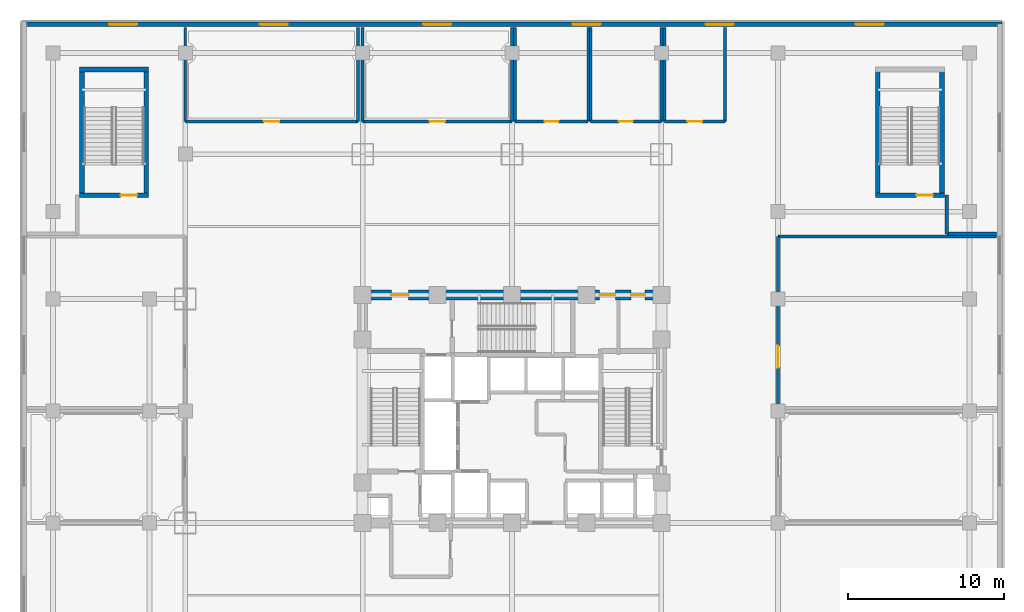
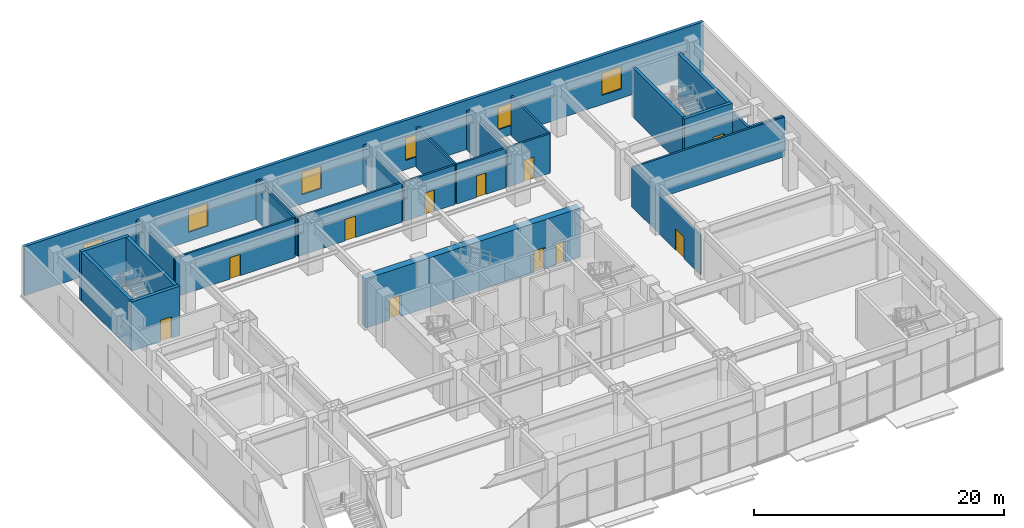
# One storey, part 14 of 24: 28 walls, 11 doors, 6 windows, 17 openings.
"""IFC4 building model written with IfcOpenShell, lengths in metres."""

from ifc_helpers import new_model, si_unit, direction, frame, frame_2d, origin, place, context, subcontext, project, spatial, rectangle, extrude, material, layer, layer_set, type_object, element, fill, save


model = new_model("IFC4")

# Units and contexts
model_context = context("Model", 3, precision=1e-05, world=origin(), true_north=direction((0.0, 1.0)))
body_context = subcontext(model_context, "Body", "Model", "MODEL_VIEW")
ifc_project = project(units=[si_unit("LENGTHUNIT", "METRE"), si_unit("AREAUNIT", "SQUARE_METRE"), si_unit("VOLUMEUNIT", "CUBIC_METRE"), si_unit("PLANEANGLEUNIT", "RADIAN"), si_unit("MASSUNIT", "GRAM", prefix="KILO")], contexts=[model_context])

# Site, building, storey
site_placement = place(None, origin())
site = spatial("IfcSite", under=ifc_project, at=site_placement, CompositionType="ELEMENT")
building_placement = place(site_placement, origin())
building = spatial("IfcBuilding", under=site, at=building_placement, Name="Vantalir Tower", CompositionType="ELEMENT")
storey_placement = place(building_placement, frame((0.0, 0.0, 6.0)))
storey = spatial("IfcBuildingStorey", under=building, at=storey_placement, Name="L01", CompositionType="ELEMENT", Elevation=6.0)

# Wall, openings, doors
ifc_material_1 = material(Name="Concrete C60/75", Category="concrete")
ifc_layer_1 = layer(ifc_material_1, 0.64990234375)
ifc_layer_set_1 = layer_set([ifc_layer_1], Name="Concrete C60/75")
wall_type_1 = type_object("IfcWallType", Name="WL-CORE-650", PredefinedType="SHEAR", material=ifc_layer_set_1)
wall_1_placement = place(storey_placement, frame((21.574951171875, 32.449951171875, 0.0), z_axis=(0.0, 0.0, 1.0), x_axis=(1.0, 0.0, 0.0)))
wall_1 = element("IfcWall", 1, at=wall_1_placement, inside=storey, type_object=wall_type_1, Name="Floor 1 Core Shear Wall North", PredefinedType="SHEAR", context=body_context, shape_type="SweptSolid", body=[
    extrude(rectangle(XDim=19.85009765625, YDim=0.64990234375, at=frame_2d((9.925048828125, 0.0))), origin(), (0.0, 0.0, 1.0), 4.820068359375),
])
opening_1_placement = place(wall_1_placement, frame((2.175048828125, 0.0, 0.0)))
opening_1 = element("IfcOpeningElement", 2, at=opening_1_placement, cuts=wall_1, Name="Opening D-FFL", PredefinedType="OPENING", context=body_context, shape_type="SweptSolid", body=[
    extrude(rectangle(XDim=1.10009765625, YDim=2.10009765625, at=frame_2d((0.550048828125, 1.050048828125))), frame((0.0, 0.3349609375, 0.0), z_axis=(0.0, -1.0, 0.0), x_axis=(1.0, 0.0, 0.0)), (0.0, 0.0, 1.0), 0.669921875),
])
opening_2_placement = place(wall_1_placement, frame((15.56494140625, 0.0, 0.0)))
opening_2 = element("IfcOpeningElement", 3, at=opening_2_placement, cuts=wall_1, Name="Opening D-GUEST", PredefinedType="OPENING", context=body_context, shape_type="SweptSolid", body=[
    extrude(rectangle(XDim=1.0, YDim=2.10009765625, at=frame_2d((0.5, 1.050048828125))), frame((0.0, 0.3349609375, 0.0), z_axis=(0.0, -1.0, 0.0), x_axis=(1.0, 0.0, 0.0)), (0.0, 0.0, 1.0), 0.669921875),
])
opening_3_placement = place(wall_1_placement, frame((17.574951171875, 0.0, 0.0)))
opening_3 = element("IfcOpeningElement", 4, at=opening_3_placement, cuts=wall_1, Name="Opening D-CR", PredefinedType="OPENING", context=body_context, shape_type="SweptSolid", body=[
    extrude(rectangle(XDim=0.89990234375, YDim=2.10009765625, at=frame_2d((0.449951171875, 1.050048828125))), frame((0.0, 0.3349609375, 0.0), z_axis=(0.0, -1.0, 0.0), x_axis=(1.0, 0.0, 0.0)), (0.0, 0.0, 1.0), 0.669921875),
])
ifc_material_2 = material(Name="Fire-rated steel core service door", Category="steel")
door_type_1 = type_object("IfcDoorType", Name="DR-CORE-SERV-900", OperationType="NOTDEFINED", PredefinedType="DOOR", material=ifc_material_2)
door_1_placement = place(opening_3_placement, frame((0.89990234375, 0.0, 0.0), z_axis=(0.0, 0.0, 1.0), x_axis=(-1.0, 0.0, 0.0)))
door_1 = element("IfcDoor", 5, at=door_1_placement, inside=storey, type_object=door_type_1, Name="Floor 1 Housekeeping and Linen Room Door", OperationType="SINGLE_SWING_RIGHT", OverallHeight=2.10009765625, OverallWidth=0.89990234375, PredefinedType="DOOR", context=body_context, shape_type="SweptSolid", body=[
    extrude(rectangle(XDim=0.89990234375, YDim=2.10009765625, at=frame_2d((0.449951171875, 1.050048828125))), frame((0.0, 0.02490234375, 0.0), z_axis=(0.0, -1.0, 0.0), x_axis=(1.0, 0.0, 0.0)), (0.0, 0.0, 1.0), 0.050048828125),
])
fill(opening_3, door_1)
ifc_material_3 = material(Name="Fire-rated acoustic steel door", Category="steel")
door_type_2 = type_object("IfcDoorType", Name="DR-FIRE-LOBBY-1100", OperationType="NOTDEFINED", PredefinedType="DOOR", material=ifc_material_3)
door_2_placement = place(opening_1_placement, frame((1.10009765625, 0.0, 0.0), z_axis=(0.0, 0.0, 1.0), x_axis=(-1.0, 0.0, 0.0)))
door_2 = element("IfcDoor", 6, at=door_2_placement, inside=storey, type_object=door_type_2, Name="Floor 1 Firefighting Lobby East Access Door", OperationType="SINGLE_SWING_LEFT", OverallHeight=2.10009765625, OverallWidth=1.10009765625, PredefinedType="DOOR", context=body_context, shape_type="SweptSolid", body=[
    extrude(rectangle(XDim=1.10009765625, YDim=2.10009765625, at=frame_2d((0.550048828125, 1.050048828125))), frame((0.0, 0.02490234375, 0.0), z_axis=(0.0, -1.0, 0.0), x_axis=(1.0, 0.0, 0.0)), (0.0, 0.0, 1.0), 0.050048828125),
])
fill(opening_1, door_2)
ifc_material_4 = material(Name="Solid-core teak veneer acoustic fire door", Category="wood")
door_type_3 = type_object("IfcDoorType", Name="DR-GUEST-ENTRY-1000", OperationType="NOTDEFINED", PredefinedType="DOOR", material=ifc_material_4)
door_3_placement = place(opening_2_placement, frame((1.0, 0.0, 0.0), z_axis=(0.0, 0.0, 1.0), x_axis=(-1.0, 0.0, 0.0)))
door_3 = element("IfcDoor", 7, at=door_3_placement, inside=storey, type_object=door_type_3, Name="Floor 1 High-Rise Lift Lobby Door", OperationType="SINGLE_SWING_LEFT", OverallHeight=2.10009765625, OverallWidth=1.0, PredefinedType="DOOR", context=body_context, shape_type="SweptSolid", body=[
    extrude(rectangle(XDim=1.0, YDim=2.10009765625, at=frame_2d((0.5, 1.050048828125))), frame((0.0, 0.02490234375, 0.0), z_axis=(0.0, -1.0, 0.0), x_axis=(1.0, 0.0, 0.0)), (0.0, 0.0, 1.0), 0.050048828125),
])
fill(opening_2, door_3)

# Wall, openings, windows
ifc_material_5 = material(Name="Precast concrete C40/50 with insulated PVDF rainscreen", Category="concrete")
ifc_layer_2 = layer(ifc_material_5, 0.280029296875)
ifc_layer_set_2 = layer_set([ifc_layer_2], Name="Precast concrete C40/50 with insulated PVDF rainscreen")
wall_type_2 = type_object("IfcWallType", Name="WL-EXT-POD-280", PredefinedType="SOLIDWALL", material=ifc_layer_set_2)
wall_2_placement = place(storey_placement, frame((63.0, 49.860107421875, 0.0), z_axis=(0.0, 0.0, 1.0), x_axis=(-1.0, 0.0, 0.0)))
wall_2 = element("IfcWall", 8, at=wall_2_placement, inside=storey, type_object=wall_type_2, Name="Level 01 Podium North Street Facade Wall", PredefinedType="SOLIDWALL", context=body_context, shape_type="SweptSolid", body=[
    extrude(rectangle(XDim=62.860107421875, YDim=0.280029296875, at=frame_2d((31.43017578125, 0.0))), origin(), (0.0, 0.0, 1.0), 4.820068359375),
])
opening_4_placement = place(wall_2_placement, frame((55.60009765625, 0.0, 0.89990234375)))
opening_4 = element("IfcOpeningElement", 9, at=opening_4_placement, cuts=wall_2, Name="Opening WN-2", PredefinedType="OPENING", context=body_context, shape_type="SweptSolid", body=[
    extrude(rectangle(XDim=1.800048828125, YDim=2.199951171875, at=frame_2d((0.89990234375, 1.10009765625))), frame((0.0, 0.14990234375, 0.0), z_axis=(0.0, -1.0, 0.0), x_axis=(1.0, 0.0, 0.0)), (0.0, 0.0, 1.0), 0.300048828125),
])
opening_5_placement = place(wall_2_placement, frame((45.89990234375, 0.0, 0.89990234375)))
opening_5 = element("IfcOpeningElement", 10, at=opening_5_placement, cuts=wall_2, Name="Opening WN-2", PredefinedType="OPENING", context=body_context, shape_type="SweptSolid", body=[
    extrude(rectangle(XDim=1.800048828125, YDim=2.199951171875, at=frame_2d((0.89990234375, 1.10009765625))), frame((0.0, 0.14990234375, 0.0), z_axis=(0.0, -1.0, 0.0), x_axis=(1.0, 0.0, 0.0)), (0.0, 0.0, 1.0), 0.300048828125),
])
opening_6_placement = place(wall_2_placement, frame((35.39990234375, 0.0, 0.89990234375)))
opening_6 = element("IfcOpeningElement", 11, at=opening_6_placement, cuts=wall_2, Name="Opening WN-2", PredefinedType="OPENING", context=body_context, shape_type="SweptSolid", body=[
    extrude(rectangle(XDim=1.800048828125, YDim=2.199951171875, at=frame_2d((0.89990234375, 1.10009765625))), frame((0.0, 0.14990234375, 0.0), z_axis=(0.0, -1.0, 0.0), x_axis=(1.0, 0.0, 0.0)), (0.0, 0.0, 1.0), 0.300048828125),
])
opening_7_placement = place(wall_2_placement, frame((25.800048828125, 0.0, 0.89990234375)))
opening_7 = element("IfcOpeningElement", 12, at=opening_7_placement, cuts=wall_2, Name="Opening WN-2", PredefinedType="OPENING", context=body_context, shape_type="SweptSolid", body=[
    extrude(rectangle(XDim=1.800048828125, YDim=2.199951171875, at=frame_2d((0.89990234375, 1.10009765625))), frame((0.0, 0.14990234375, 0.0), z_axis=(0.0, -1.0, 0.0), x_axis=(1.0, 0.0, 0.0)), (0.0, 0.0, 1.0), 0.300048828125),
])
opening_8_placement = place(wall_2_placement, frame((17.25, 0.0, 0.89990234375)))
opening_8 = element("IfcOpeningElement", 13, at=opening_8_placement, cuts=wall_2, Name="Opening WN-2", PredefinedType="OPENING", context=body_context, shape_type="SweptSolid", body=[
    extrude(rectangle(XDim=1.800048828125, YDim=2.199951171875, at=frame_2d((0.89990234375, 1.10009765625))), frame((0.0, 0.14990234375, 0.0), z_axis=(0.0, -1.0, 0.0), x_axis=(1.0, 0.0, 0.0)), (0.0, 0.0, 1.0), 0.300048828125),
])
opening_9_placement = place(wall_2_placement, frame((7.60009765625, 0.0, 0.89990234375)))
opening_9 = element("IfcOpeningElement", 14, at=opening_9_placement, cuts=wall_2, Name="Opening WN-2", PredefinedType="OPENING", context=body_context, shape_type="SweptSolid", body=[
    extrude(rectangle(XDim=1.800048828125, YDim=2.199951171875, at=frame_2d((0.89990234375, 1.10009765625))), frame((0.0, 0.14990234375, 0.0), z_axis=(0.0, -1.0, 0.0), x_axis=(1.0, 0.0, 0.0)), (0.0, 0.0, 1.0), 0.300048828125),
])
ifc_material_6 = material(Name="Double-silver Low-E thermally broken window", Category="glass")
window_type = type_object("IfcWindowType", Name="WIN-POD-1800x2200", PartitioningType="SINGLE_PANEL", PredefinedType="WINDOW", material=ifc_material_6)
window_1_placement = place(opening_4_placement, origin())
window_1 = element("IfcWindow", 15, at=window_1_placement, inside=storey, type_object=window_type, Name="Level 01 North Podium Window N01", OverallHeight=2.199951171875, OverallWidth=1.800048828125, PartitioningType="SINGLE_PANEL", PredefinedType="WINDOW", context=body_context, shape_type="SweptSolid", body=[
    extrude(rectangle(XDim=1.800048828125, YDim=2.199951171875, at=frame_2d((0.89990234375, 1.10009765625))), frame((0.0, 0.030029296875, 0.0), z_axis=(0.0, -1.0, 0.0), x_axis=(1.0, 0.0, 0.0)), (0.0, 0.0, 1.0), 0.06005859375),
])
fill(opening_4, window_1)
window_2_placement = place(opening_5_placement, origin())
window_2 = element("IfcWindow", 16, at=window_2_placement, inside=storey, type_object=window_type, Name="Level 01 North Podium Window N02", OverallHeight=2.199951171875, OverallWidth=1.800048828125, PartitioningType="SINGLE_PANEL", PredefinedType="WINDOW", context=body_context, shape_type="SweptSolid", body=[
    extrude(rectangle(XDim=1.800048828125, YDim=2.199951171875, at=frame_2d((0.89990234375, 1.10009765625))), frame((0.0, 0.030029296875, 0.0), z_axis=(0.0, -1.0, 0.0), x_axis=(1.0, 0.0, 0.0)), (0.0, 0.0, 1.0), 0.06005859375),
])
fill(opening_5, window_2)
window_3_placement = place(opening_6_placement, origin())
window_3 = element("IfcWindow", 17, at=window_3_placement, inside=storey, type_object=window_type, Name="Level 01 North Podium Window N03", OverallHeight=2.199951171875, OverallWidth=1.800048828125, PartitioningType="SINGLE_PANEL", PredefinedType="WINDOW", context=body_context, shape_type="SweptSolid", body=[
    extrude(rectangle(XDim=1.800048828125, YDim=2.199951171875, at=frame_2d((0.89990234375, 1.10009765625))), frame((0.0, 0.030029296875, 0.0), z_axis=(0.0, -1.0, 0.0), x_axis=(1.0, 0.0, 0.0)), (0.0, 0.0, 1.0), 0.06005859375),
])
fill(opening_6, window_3)
window_4_placement = place(opening_7_placement, origin())
window_4 = element("IfcWindow", 18, at=window_4_placement, inside=storey, type_object=window_type, Name="Level 01 North Podium Window N04", OverallHeight=2.199951171875, OverallWidth=1.800048828125, PartitioningType="SINGLE_PANEL", PredefinedType="WINDOW", context=body_context, shape_type="SweptSolid", body=[
    extrude(rectangle(XDim=1.800048828125, YDim=2.199951171875, at=frame_2d((0.89990234375, 1.10009765625))), frame((0.0, 0.030029296875, 0.0), z_axis=(0.0, -1.0, 0.0), x_axis=(1.0, 0.0, 0.0)), (0.0, 0.0, 1.0), 0.06005859375),
])
fill(opening_7, window_4)
window_5_placement = place(opening_8_placement, origin())
window_5 = element("IfcWindow", 19, at=window_5_placement, inside=storey, type_object=window_type, Name="Level 01 North Podium Window N05", OverallHeight=2.199951171875, OverallWidth=1.800048828125, PartitioningType="SINGLE_PANEL", PredefinedType="WINDOW", context=body_context, shape_type="SweptSolid", body=[
    extrude(rectangle(XDim=1.800048828125, YDim=2.199951171875, at=frame_2d((0.89990234375, 1.10009765625))), frame((0.0, 0.030029296875, 0.0), z_axis=(0.0, -1.0, 0.0), x_axis=(1.0, 0.0, 0.0)), (0.0, 0.0, 1.0), 0.06005859375),
])
fill(opening_8, window_5)
window_6_placement = place(opening_9_placement, origin())
window_6 = element("IfcWindow", 20, at=window_6_placement, inside=storey, type_object=window_type, Name="Level 01 North Podium Window N06", OverallHeight=2.199951171875, OverallWidth=1.800048828125, PartitioningType="SINGLE_PANEL", PredefinedType="WINDOW", context=body_context, shape_type="SweptSolid", body=[
    extrude(rectangle(XDim=1.800048828125, YDim=2.199951171875, at=frame_2d((0.89990234375, 1.10009765625))), frame((0.0, 0.030029296875, 0.0), z_axis=(0.0, -1.0, 0.0), x_axis=(1.0, 0.0, 0.0)), (0.0, 0.0, 1.0), 0.06005859375),
])
fill(opening_9, window_6)

# Walls
ifc_material_7 = material(Name="Concrete blockwork with fireboard lining", Category="masonry")
ifc_layer_3 = layer(ifc_material_7, 0.219970703125)
ifc_layer_set_3 = layer_set([ifc_layer_3], Name="Concrete blockwork with fireboard lining")
wall_type_3 = type_object("IfcWallType", Name="WL-FFL-220", PredefinedType="PARTITIONING", material=ifc_layer_set_3)
wall_3_placement = place(storey_placement, frame((59.449951171875, 36.3798828125, 0.0), z_axis=(0.0, 0.0, 1.0), x_axis=(1.0, 0.0, 0.0)))
element("IfcWall", 21, at=wall_3_placement, inside=storey, type_object=wall_type_3, Name="Floor 1 North-East Service Riser South Wall", PredefinedType="PARTITIONING", context=body_context, shape_type="SweptSolid", body=[
    extrude(rectangle(XDim=3.199951171875, YDim=0.219970703125, at=frame_2d((1.60009765625, 0.0))), origin(), (0.0, 0.0, 1.0), 3.867919921875),
])
wall_4_placement = place(storey_placement, frame((59.449951171875, 36.3798828125, 0.0), z_axis=(0.0, 0.0, 1.0), x_axis=(0.0, 1.0, 0.0)))
element("IfcWall", 22, at=wall_4_placement, inside=storey, type_object=wall_type_3, Name="Floor 1 North-East Service Riser West Wall", PredefinedType="PARTITIONING", context=body_context, shape_type="SweptSolid", body=[
    extrude(rectangle(XDim=2.480224609375, YDim=0.219970703125, at=frame_2d((1.240234375, 0.0))), origin(), (0.0, 0.0, 1.0), 3.867919921875),
])
ifc_material_8 = material(Name="Twin-stud acoustic fire-rated gypsum partition", Category="gypsum")
ifc_layer_4 = layer(ifc_material_8, 0.179931640625)
ifc_layer_set_4 = layer_set([ifc_layer_4], Name="Twin-stud acoustic fire-rated gypsum partition")
wall_type_4 = type_object("IfcWallType", Name="WL-GUEST-180", PredefinedType="PARTITIONING", material=ifc_layer_set_4)
wall_5_placement = place(storey_placement, frame((48.60009765625, 36.199951171875, 0.0), z_axis=(0.0, 0.0, 1.0), x_axis=(1.0, 0.0, 0.0)))
element("IfcWall", 23, at=wall_5_placement, inside=storey, type_object=wall_type_4, Name="Floor 1 Culinary Dry Goods and Tableware Store North Wall", PredefinedType="PARTITIONING", context=body_context, shape_type="SweptSolid", body=[
    extrude(rectangle(XDim=14.0498046875, YDim=0.179931640625, at=frame_2d((7.02490234375, 0.0))), origin(), (0.0, 0.0, 1.0), 3.867919921875),
])

# Wall, opening, door
wall_6_placement = place(storey_placement, frame((48.60009765625, 25.179931640625, 0.0), z_axis=(0.0, 0.0, 1.0), x_axis=(0.0, 1.0, 0.0)))
wall_6 = element("IfcWall", 24, at=wall_6_placement, inside=storey, type_object=wall_type_4, Name="Floor 1 Culinary Dry Goods and Tableware Store West Wall", PredefinedType="PARTITIONING", context=body_context, shape_type="SweptSolid", body=[
    extrude(rectangle(XDim=11.02001953125, YDim=0.179931640625, at=frame_2d((5.510009765625, 0.0))), origin(), (0.0, 0.0, 1.0), 3.867919921875),
])
opening_10_placement = place(wall_6_placement, frame((2.60595703125, 0.0, 0.0)))
opening_10 = element("IfcOpeningElement", 25, at=opening_10_placement, cuts=wall_6, Name="Opening D-PLANT", PredefinedType="OPENING", context=body_context, shape_type="SweptSolid", body=[
    extrude(rectangle(XDim=1.39990234375, YDim=2.10009765625, at=frame_2d((0.699951171875, 1.050048828125))), frame((0.0, 0.099853515625, 0.0), z_axis=(0.0, -1.0, 0.0), x_axis=(1.0, 0.0, 0.0)), (0.0, 0.0, 1.0), 0.199951171875),
])
ifc_material_9 = material(Name="Louvred fire-rated steel plant double door", Category="steel")
door_type_4 = type_object("IfcDoorType", Name="DR-PLANT-1400", OperationType="DOUBLE_DOOR_SINGLE_SWING", PredefinedType="DOOR", material=ifc_material_9)
door_4_placement = place(opening_10_placement, frame((1.39990234375, 0.0, 0.0), z_axis=(0.0, 0.0, 1.0), x_axis=(-1.0, 0.0, 0.0)))
door_4 = element("IfcDoor", 26, at=door_4_placement, inside=storey, type_object=door_type_4, Name="Floor 1 Culinary Dry Goods and Tableware Store Door", OperationType="DOUBLE_DOOR_SINGLE_SWING", OverallHeight=2.10009765625, OverallWidth=1.39990234375, PredefinedType="DOOR", context=body_context, shape_type="SweptSolid", body=[
    extrude(rectangle(XDim=1.39990234375, YDim=2.10009765625, at=frame_2d((0.699951171875, 1.050048828125))), frame((0.0, 0.02490234375, 0.0), z_axis=(0.0, -1.0, 0.0), x_axis=(1.0, 0.0, 0.0)), (0.0, 0.0, 1.0), 0.050048828125),
])
fill(opening_10, door_4)

wall_7_placement = place(storey_placement, frame((10.5, 43.60009765625, 0.0), z_axis=(0.0, 0.0, 1.0), x_axis=(1.0, 0.0, 0.0)))
wall_7 = element("IfcWall", 27, at=wall_7_placement, inside=storey, type_object=wall_type_4, Name="Floor 1 Hospitality Administration Office South Wall", PredefinedType="PARTITIONING", context=body_context, shape_type="SweptSolid", body=[
    extrude(rectangle(XDim=11.10009765625, YDim=0.179931640625, at=frame_2d((5.550048828125, 0.0))), origin(), (0.0, 0.0, 1.0), 3.867919921875),
])
opening_11_placement = place(wall_7_placement, frame((5.050048828125, 0.0, 0.0)))
opening_11 = element("IfcOpeningElement", 28, at=opening_11_placement, cuts=wall_7, Name="Opening D-GUEST", PredefinedType="OPENING", context=body_context, shape_type="SweptSolid", body=[
    extrude(rectangle(XDim=1.0, YDim=2.10009765625, at=frame_2d((0.5, 1.050048828125))), frame((0.0, 0.099853515625, 0.0), z_axis=(0.0, -1.0, 0.0), x_axis=(1.0, 0.0, 0.0)), (0.0, 0.0, 1.0), 0.199951171875),
])
door_5_placement = place(opening_11_placement, origin())
door_5 = element("IfcDoor", 29, at=door_5_placement, inside=storey, type_object=door_type_3, Name="Floor 1 Hospitality Administration Office Door", OperationType="SINGLE_SWING_LEFT", OverallHeight=2.10009765625, OverallWidth=1.0, PredefinedType="DOOR", context=body_context, shape_type="SweptSolid", body=[
    extrude(rectangle(XDim=1.0, YDim=2.10009765625, at=frame_2d((0.5, 1.050048828125))), frame((0.0, 0.02490234375, 0.0), z_axis=(0.0, -1.0, 0.0), x_axis=(1.0, 0.0, 0.0)), (0.0, 0.0, 1.0), 0.050048828125),
])
fill(opening_11, door_5)

# Walls
for number, where, z_axis, x_axis, name in (
    (30, (10.5, 43.60009765625, 0.0), (0.0, 0.0, 1.0), (0.0, 1.0, 0.0), "Floor 1 Hospitality Administration Office West Wall"),
    (31, (21.60009765625, 43.60009765625, 0.0), (0.0, 0.0, 1.0), (0.0, 1.0, 0.0), "Floor 1 Hospitality Administration Office East Wall"),
):
    element("IfcWall", number, at=place(storey_placement, frame(where, z_axis=z_axis, x_axis=x_axis)), inside=storey, type_object=wall_type_4, Name=name, PredefinedType="PARTITIONING", context=body_context, shape_type="SweptSolid", body=[
        extrude(rectangle(XDim=6.0498046875, YDim=0.179931640625, at=frame_2d((3.02490234375, 0.0))), origin(), (0.0, 0.0, 1.0), 3.867919921875),
    ])

# Wall, opening, door
wall_8_placement = place(storey_placement, frame((21.89990234375, 43.60009765625, 0.0), z_axis=(0.0, 0.0, 1.0), x_axis=(1.0, 0.0, 0.0)))
wall_8 = element("IfcWall", 32, at=wall_8_placement, inside=storey, type_object=wall_type_4, Name="Floor 1 Executive Chef Banquet Room South Wall", PredefinedType="PARTITIONING", context=body_context, shape_type="SweptSolid", body=[
    extrude(rectangle(XDim=9.60009765625, YDim=0.179931640625, at=frame_2d((4.800048828125, 0.0))), origin(), (0.0, 0.0, 1.0), 3.867919921875),
])
opening_12_placement = place(wall_8_placement, frame((4.300048828125, 0.0, 0.0)))
opening_12 = element("IfcOpeningElement", 33, at=opening_12_placement, cuts=wall_8, Name="Opening D-GUEST", PredefinedType="OPENING", context=body_context, shape_type="SweptSolid", body=[
    extrude(rectangle(XDim=1.0, YDim=2.10009765625, at=frame_2d((0.5, 1.050048828125))), frame((0.0, 0.099853515625, 0.0), z_axis=(0.0, -1.0, 0.0), x_axis=(1.0, 0.0, 0.0)), (0.0, 0.0, 1.0), 0.199951171875),
])
door_6_placement = place(opening_12_placement, origin())
door_6 = element("IfcDoor", 34, at=door_6_placement, inside=storey, type_object=door_type_3, Name="Floor 1 Executive Chef Banquet Room Door", OperationType="SINGLE_SWING_LEFT", OverallHeight=2.10009765625, OverallWidth=1.0, PredefinedType="DOOR", context=body_context, shape_type="SweptSolid", body=[
    extrude(rectangle(XDim=1.0, YDim=2.10009765625, at=frame_2d((0.5, 1.050048828125))), frame((0.0, 0.02490234375, 0.0), z_axis=(0.0, -1.0, 0.0), x_axis=(1.0, 0.0, 0.0)), (0.0, 0.0, 1.0), 0.050048828125),
])
fill(opening_12, door_6)

# Walls
for number, where, z_axis, x_axis, name in (
    (35, (21.89990234375, 43.60009765625, 0.0), (0.0, 0.0, 1.0), (0.0, 1.0, 0.0), "Floor 1 Executive Chef Banquet Room West Wall"),
    (36, (31.5, 43.60009765625, 0.0), (0.0, 0.0, 1.0), (0.0, 1.0, 0.0), "Floor 1 Executive Chef Banquet Room East Wall"),
):
    element("IfcWall", number, at=place(storey_placement, frame(where, z_axis=z_axis, x_axis=x_axis)), inside=storey, type_object=wall_type_4, Name=name, PredefinedType="PARTITIONING", context=body_context, shape_type="SweptSolid", body=[
        extrude(rectangle(XDim=6.0498046875, YDim=0.179931640625, at=frame_2d((3.02490234375, 0.0))), origin(), (0.0, 0.0, 1.0), 3.867919921875),
    ])

# Wall, opening, door
wall_9_placement = place(storey_placement, frame((31.699951171875, 43.60009765625, 0.0), z_axis=(0.0, 0.0, 1.0), x_axis=(1.0, 0.0, 0.0)))
wall_9 = element("IfcWall", 37, at=wall_9_placement, inside=storey, type_object=wall_type_4, Name="Floor 1 Public Male WC South Wall", PredefinedType="PARTITIONING", context=body_context, shape_type="SweptSolid", body=[
    extrude(rectangle(XDim=4.699951171875, YDim=0.179931640625, at=frame_2d((2.35009765625, 0.0))), origin(), (0.0, 0.0, 1.0), 3.867919921875),
])
opening_13_placement = place(wall_9_placement, frame((1.89990234375, 0.0, 0.0)))
opening_13 = element("IfcOpeningElement", 38, at=opening_13_placement, cuts=wall_9, Name="Opening D-WC", PredefinedType="OPENING", context=body_context, shape_type="SweptSolid", body=[
    extrude(rectangle(XDim=0.89990234375, YDim=2.10009765625, at=frame_2d((0.449951171875, 1.050048828125))), frame((0.0, 0.099853515625, 0.0), z_axis=(0.0, -1.0, 0.0), x_axis=(1.0, 0.0, 0.0)), (0.0, 0.0, 1.0), 0.199951171875),
])
ifc_material_10 = material(Name="Moisture-resistant hardwood door", Category="wood")
door_type_5 = type_object("IfcDoorType", Name="DR-ENSUITE-900", OperationType="NOTDEFINED", PredefinedType="DOOR", material=ifc_material_10)
door_7_placement = place(opening_13_placement, origin())
door_7 = element("IfcDoor", 39, at=door_7_placement, inside=storey, type_object=door_type_5, Name="Floor 1 Public Male WC Door", OperationType="SINGLE_SWING_LEFT", OverallHeight=2.10009765625, OverallWidth=0.89990234375, PredefinedType="DOOR", context=body_context, shape_type="SweptSolid", body=[
    extrude(rectangle(XDim=0.89990234375, YDim=2.10009765625, at=frame_2d((0.449951171875, 1.050048828125))), frame((0.0, 0.02490234375, 0.0), z_axis=(0.0, -1.0, 0.0), x_axis=(1.0, 0.0, 0.0)), (0.0, 0.0, 1.0), 0.050048828125),
])
fill(opening_13, door_7)

# Walls
for number, where, z_axis, x_axis, name in (
    (40, (31.699951171875, 43.60009765625, 0.0), (0.0, 0.0, 1.0), (0.0, 1.0, 0.0), "Floor 1 Public Male WC West Wall"),
    (41, (36.39990234375, 43.60009765625, 0.0), (0.0, 0.0, 1.0), (0.0, 1.0, 0.0), "Floor 1 Public Male WC East Wall"),
):
    element("IfcWall", number, at=place(storey_placement, frame(where, z_axis=z_axis, x_axis=x_axis)), inside=storey, type_object=wall_type_4, Name=name, PredefinedType="PARTITIONING", context=body_context, shape_type="SweptSolid", body=[
        extrude(rectangle(XDim=6.0498046875, YDim=0.179931640625, at=frame_2d((3.02490234375, 0.0))), origin(), (0.0, 0.0, 1.0), 3.867919921875),
    ])

# Wall, opening, door
wall_10_placement = place(storey_placement, frame((36.550048828125, 43.60009765625, 0.0), z_axis=(0.0, 0.0, 1.0), x_axis=(1.0, 0.0, 0.0)))
wall_10 = element("IfcWall", 42, at=wall_10_placement, inside=storey, type_object=wall_type_4, Name="Floor 1 Public Female WC South Wall", PredefinedType="PARTITIONING", context=body_context, shape_type="SweptSolid", body=[
    extrude(rectangle(XDim=4.550048828125, YDim=0.179931640625, at=frame_2d((2.27490234375, 0.0))), origin(), (0.0, 0.0, 1.0), 3.867919921875),
])
opening_14_placement = place(wall_10_placement, frame((1.824951171875, 0.0, 0.0)))
opening_14 = element("IfcOpeningElement", 43, at=opening_14_placement, cuts=wall_10, Name="Opening D-WC", PredefinedType="OPENING", context=body_context, shape_type="SweptSolid", body=[
    extrude(rectangle(XDim=0.89990234375, YDim=2.10009765625, at=frame_2d((0.449951171875, 1.050048828125))), frame((0.0, 0.099853515625, 0.0), z_axis=(0.0, -1.0, 0.0), x_axis=(1.0, 0.0, 0.0)), (0.0, 0.0, 1.0), 0.199951171875),
])
door_8_placement = place(opening_14_placement, origin())
door_8 = element("IfcDoor", 44, at=door_8_placement, inside=storey, type_object=door_type_5, Name="Floor 1 Public Female WC Door", OperationType="SINGLE_SWING_RIGHT", OverallHeight=2.10009765625, OverallWidth=0.89990234375, PredefinedType="DOOR", context=body_context, shape_type="SweptSolid", body=[
    extrude(rectangle(XDim=0.89990234375, YDim=2.10009765625, at=frame_2d((0.449951171875, 1.050048828125))), frame((0.0, 0.02490234375, 0.0), z_axis=(0.0, -1.0, 0.0), x_axis=(1.0, 0.0, 0.0)), (0.0, 0.0, 1.0), 0.050048828125),
])
fill(opening_14, door_8)

# Walls
for number, where, z_axis, x_axis, name in (
    (45, (36.550048828125, 43.60009765625, 0.0), (0.0, 0.0, 1.0), (0.0, 1.0, 0.0), "Floor 1 Public Female WC West Wall"),
    (46, (41.10009765625, 43.60009765625, 0.0), (0.0, 0.0, 1.0), (0.0, 1.0, 0.0), "Floor 1 Public Female WC East Wall"),
):
    element("IfcWall", number, at=place(storey_placement, frame(where, z_axis=z_axis, x_axis=x_axis)), inside=storey, type_object=wall_type_4, Name=name, PredefinedType="PARTITIONING", context=body_context, shape_type="SweptSolid", body=[
        extrude(rectangle(XDim=6.0498046875, YDim=0.179931640625, at=frame_2d((3.02490234375, 0.0))), origin(), (0.0, 0.0, 1.0), 3.867919921875),
    ])

# Wall, opening, door
wall_11_placement = place(storey_placement, frame((41.300048828125, 43.60009765625, 0.0), z_axis=(0.0, 0.0, 1.0), x_axis=(1.0, 0.0, 0.0)))
wall_11 = element("IfcWall", 47, at=wall_11_placement, inside=storey, type_object=wall_type_4, Name="Floor 1 Accessible WC South Wall", PredefinedType="PARTITIONING", context=body_context, shape_type="SweptSolid", body=[
    extrude(rectangle(XDim=3.89990234375, YDim=0.179931640625, at=frame_2d((1.949951171875, 0.0))), origin(), (0.0, 0.0, 1.0), 3.867919921875),
])
opening_15_placement = place(wall_11_placement, frame((1.47509765625, 0.0, 0.0)))
opening_15 = element("IfcOpeningElement", 48, at=opening_15_placement, cuts=wall_11, Name="Opening D-AWC", PredefinedType="OPENING", context=body_context, shape_type="SweptSolid", body=[
    extrude(rectangle(XDim=0.949951171875, YDim=2.10009765625, at=frame_2d((0.47509765625, 1.050048828125))), frame((0.0, 0.099853515625, 0.0), z_axis=(0.0, -1.0, 0.0), x_axis=(1.0, 0.0, 0.0)), (0.0, 0.0, 1.0), 0.199951171875),
])
ifc_material_11 = material(Name="Accessible toilet outward-opening hardwood door", Category="wood")
door_type_6 = type_object("IfcDoorType", Name="DR-ACC-WC-950", OperationType="NOTDEFINED", PredefinedType="DOOR", material=ifc_material_11)
door_9_placement = place(opening_15_placement, frame((0.949951171875, 0.0, 0.0), z_axis=(0.0, 0.0, 1.0), x_axis=(-1.0, 0.0, 0.0)))
door_9 = element("IfcDoor", 49, at=door_9_placement, inside=storey, type_object=door_type_6, Name="Floor 1 Accessible WC Door", OperationType="SINGLE_SWING_LEFT", OverallHeight=2.10009765625, OverallWidth=0.949951171875, PredefinedType="DOOR", context=body_context, shape_type="SweptSolid", body=[
    extrude(rectangle(XDim=0.949951171875, YDim=2.10009765625, at=frame_2d((0.47509765625, 1.050048828125))), frame((0.0, 0.02490234375, 0.0), z_axis=(0.0, -1.0, 0.0), x_axis=(1.0, 0.0, 0.0)), (0.0, 0.0, 1.0), 0.050048828125),
])
fill(opening_15, door_9)

# Walls
for number, where, z_axis, x_axis, name in (
    (50, (41.300048828125, 43.60009765625, 0.0), (0.0, 0.0, 1.0), (0.0, 1.0, 0.0), "Floor 1 Accessible WC West Wall"),
    (51, (45.199951171875, 43.60009765625, 0.0), (0.0, 0.0, 1.0), (0.0, 1.0, 0.0), "Floor 1 Accessible WC East Wall"),
):
    element("IfcWall", number, at=place(storey_placement, frame(where, z_axis=z_axis, x_axis=x_axis)), inside=storey, type_object=wall_type_4, Name=name, PredefinedType="PARTITIONING", context=body_context, shape_type="SweptSolid", body=[
        extrude(rectangle(XDim=6.0498046875, YDim=0.179931640625, at=frame_2d((3.02490234375, 0.0))), origin(), (0.0, 0.0, 1.0), 3.867919921875),
    ])

# Wall, opening, door
ifc_material_12 = material(Name="Concrete C50/60", Category="concrete")
ifc_layer_5 = layer(ifc_material_12, 0.300048828125)
ifc_layer_set_5 = layer_set([ifc_layer_5], Name="Concrete C50/60")
wall_type_5 = type_object("IfcWallType", Name="WL-STAIR-300", PredefinedType="SHEAR", material=ifc_layer_set_5)
wall_12_placement = place(storey_placement, frame((3.699951171875, 38.860107421875, 0.0), z_axis=(0.0, 0.0, 1.0), x_axis=(1.0, 0.0, 0.0)))
wall_12 = element("IfcWall", 52, at=wall_12_placement, inside=storey, type_object=wall_type_5, Name="Floor 1 PST1 South Wall", PredefinedType="SHEAR", context=body_context, shape_type="SweptSolid", body=[
    extrude(rectangle(XDim=4.449951171875, YDim=0.300048828125, at=frame_2d((2.22509765625, 0.0))), origin(), (0.0, 0.0, 1.0), 4.820068359375),
])
opening_16_placement = place(wall_12_placement, frame((2.64990234375, 0.0, 0.0)))
opening_16 = element("IfcOpeningElement", 53, at=opening_16_placement, cuts=wall_12, Name="Opening D-ST", PredefinedType="OPENING", context=body_context, shape_type="SweptSolid", body=[
    extrude(rectangle(XDim=1.050048828125, YDim=2.10009765625, at=frame_2d((0.52490234375, 1.050048828125))), frame((0.0, 0.159912109375, 0.0), z_axis=(0.0, -1.0, 0.0), x_axis=(1.0, 0.0, 0.0)), (0.0, 0.0, 1.0), 0.320068359375),
])
ifc_material_13 = material(Name="Fire-rated steel door leaf", Category="steel")
door_type_7 = type_object("IfcDoorType", Name="DR-FIRE-STAIR-1050", OperationType="NOTDEFINED", PredefinedType="DOOR", material=ifc_material_13)
door_10_placement = place(opening_16_placement, origin())
door_10 = element("IfcDoor", 54, at=door_10_placement, inside=storey, type_object=door_type_7, Name="Floor 1 Podium Stair PST1 Fire Door", OperationType="SINGLE_SWING_LEFT", OverallHeight=2.10009765625, OverallWidth=1.050048828125, PredefinedType="DOOR", context=body_context, shape_type="SweptSolid", body=[
    extrude(rectangle(XDim=1.050048828125, YDim=2.10009765625, at=frame_2d((0.52490234375, 1.050048828125))), frame((0.0, 0.02490234375, 0.0), z_axis=(0.0, -1.0, 0.0), x_axis=(1.0, 0.0, 0.0)), (0.0, 0.0, 1.0), 0.050048828125),
])
fill(opening_16, door_10)

# Walls
wall_13_placement = place(storey_placement, frame((3.699951171875, 46.93994140625, 0.0), z_axis=(0.0, 0.0, 1.0), x_axis=(1.0, 0.0, 0.0)))
element("IfcWall", 55, at=wall_13_placement, inside=storey, type_object=wall_type_5, Name="Floor 1 PST1 North Wall", PredefinedType="SHEAR", context=body_context, shape_type="SweptSolid", body=[
    extrude(rectangle(XDim=4.449951171875, YDim=0.300048828125, at=frame_2d((2.22509765625, 0.0))), origin(), (0.0, 0.0, 1.0), 4.820068359375),
])
for number, where, z_axis, x_axis, name in (
    (56, (3.860107421875, 38.860107421875, 0.0), (0.0, 0.0, 1.0), (0.0, 1.0, 0.0), "Floor 1 PST1 West Wall"),
    (57, (7.989990234375, 38.860107421875, 0.0), (0.0, 0.0, 1.0), (0.0, 1.0, 0.0), "Floor 1 PST1 East Wall"),
):
    element("IfcWall", number, at=place(storey_placement, frame(where, z_axis=z_axis, x_axis=x_axis)), inside=storey, type_object=wall_type_5, Name=name, PredefinedType="SHEAR", context=body_context, shape_type="SweptSolid", body=[
        extrude(rectangle(XDim=8.079833984375, YDim=0.300048828125, at=frame_2d((4.0400390625, 0.0))), origin(), (0.0, 0.0, 1.0), 4.820068359375),
    ])

# Wall, opening, door
wall_14_placement = place(storey_placement, frame((54.85009765625, 38.860107421875, 0.0), z_axis=(0.0, 0.0, 1.0), x_axis=(1.0, 0.0, 0.0)))
wall_14 = element("IfcWall", 58, at=wall_14_placement, inside=storey, type_object=wall_type_5, Name="Floor 1 PST2 South Wall", PredefinedType="SHEAR", context=body_context, shape_type="SweptSolid", body=[
    extrude(rectangle(XDim=4.449951171875, YDim=0.300048828125, at=frame_2d((2.22509765625, 0.0))), origin(), (0.0, 0.0, 1.0), 4.820068359375),
])
opening_17_placement = place(wall_14_placement, frame((2.64990234375, 0.0, 0.0)))
opening_17 = element("IfcOpeningElement", 59, at=opening_17_placement, cuts=wall_14, Name="Opening D-ST", PredefinedType="OPENING", context=body_context, shape_type="SweptSolid", body=[
    extrude(rectangle(XDim=1.050048828125, YDim=2.10009765625, at=frame_2d((0.52490234375, 1.050048828125))), frame((0.0, 0.159912109375, 0.0), z_axis=(0.0, -1.0, 0.0), x_axis=(1.0, 0.0, 0.0)), (0.0, 0.0, 1.0), 0.320068359375),
])
door_11_placement = place(opening_17_placement, origin())
door_11 = element("IfcDoor", 60, at=door_11_placement, inside=storey, type_object=door_type_7, Name="Floor 1 Podium Stair PST2 Fire Door", OperationType="SINGLE_SWING_LEFT", OverallHeight=2.10009765625, OverallWidth=1.050048828125, PredefinedType="DOOR", context=body_context, shape_type="SweptSolid", body=[
    extrude(rectangle(XDim=1.050048828125, YDim=2.10009765625, at=frame_2d((0.52490234375, 1.050048828125))), frame((0.0, 0.02490234375, 0.0), z_axis=(0.0, -1.0, 0.0), x_axis=(1.0, 0.0, 0.0)), (0.0, 0.0, 1.0), 0.050048828125),
])
fill(opening_17, door_11)

# Walls
for number, where, z_axis, x_axis, name in (
    (61, (55.010009765625, 38.860107421875, 0.0), (0.0, 0.0, 1.0), (0.0, 1.0, 0.0), "Floor 1 PST2 West Wall"),
    (62, (59.139892578125, 38.860107421875, 0.0), (0.0, 0.0, 1.0), (0.0, 1.0, 0.0), "Floor 1 PST2 East Wall"),
):
    element("IfcWall", number, at=place(storey_placement, frame(where, z_axis=z_axis, x_axis=x_axis)), inside=storey, type_object=wall_type_5, Name=name, PredefinedType="SHEAR", context=body_context, shape_type="SweptSolid", body=[
        extrude(rectangle(XDim=8.079833984375, YDim=0.300048828125, at=frame_2d((4.0400390625, 0.0))), origin(), (0.0, 0.0, 1.0), 4.820068359375),
    ])

save(model, "model.ifc")
